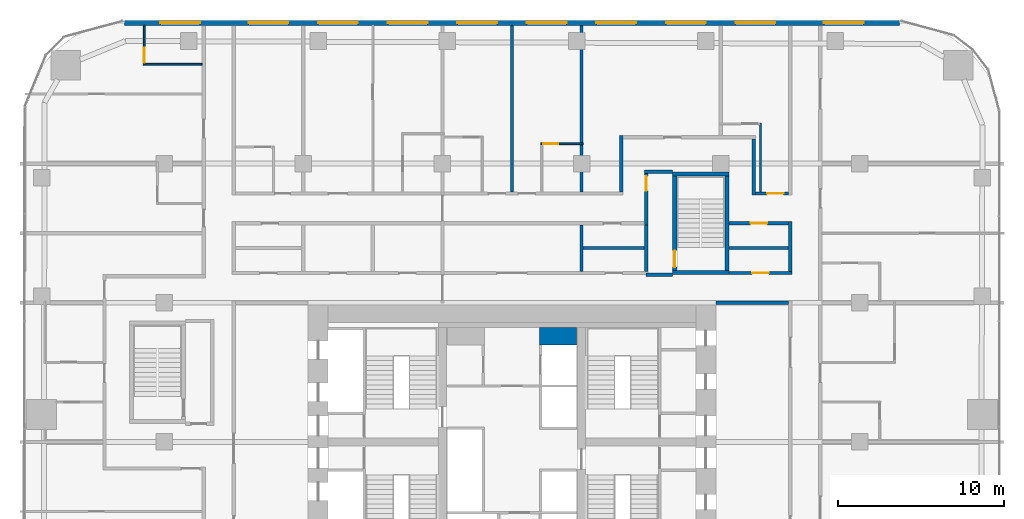
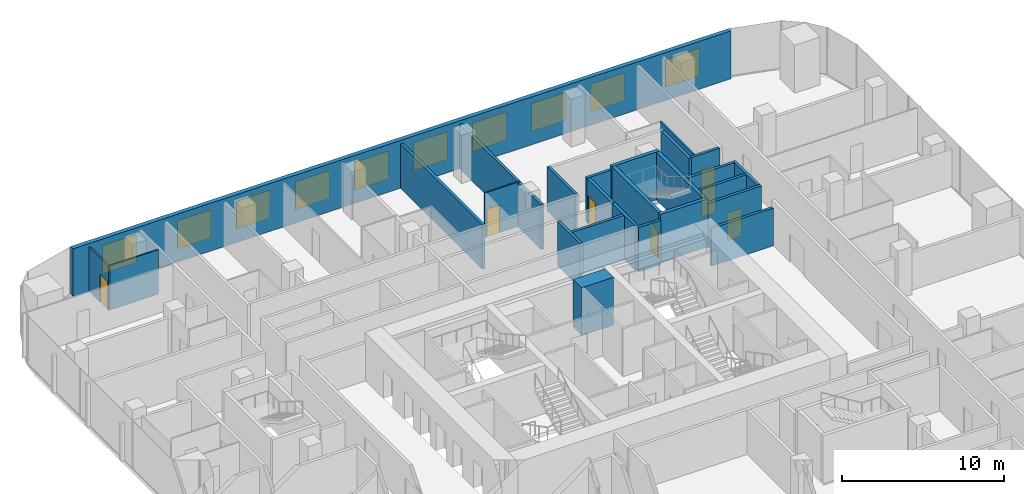
# One storey, part 22 of 26: 26 walls, 10 windows, 7 doors, 17 openings.
"""IFC4 building model written with IfcOpenShell, lengths in metres."""

import ifcopenshell
import ifcopenshell.guid

model = None  # the IFC model being written
_history = None  # IfcOwnerHistory: only IFC2X3 demands one
_inside = {}  # id of a spatial element -> (the spatial element, [elements in it])
_under = {}  # id of a project, library or spatial element -> (it, [spatial elements below it])
_declared = {}  # id of a project -> (the project, [libraries it declares])
_typed = {}  # id of a type object -> (the type object, [elements of that type])
_made_of = {}  # id of a material, layer set ... -> (it, [elements and type objects made of it])


def new_model(schema):
    """Start an empty IFC model of exactly this schema.

    Asked for "IFC4X3", IfcOpenShell would pick the latest addendum, in which some entities
    have other attributes; the version numbers below select the first issue.
    IFC2X3 requires an IfcOwnerHistory on every rooted entity: one is made here for all.
    """
    global model, _history
    if schema == "IFC4X3":
        model = ifcopenshell.file(schema_version=(4, 3, 0, 0))
    else:
        model = ifcopenshell.file(schema=schema)
    _inside.clear()
    _under.clear()
    _declared.clear()
    _typed.clear()
    _made_of.clear()
    _history = None
    if model.schema == "IFC2X3":
        org = make("IfcOrganization", Name="unknown")
        user = make(
            "IfcPersonAndOrganization",
            ThePerson=make("IfcPerson", FamilyName="unknown"),
            TheOrganization=org,
        )
        app = make(
            "IfcApplication",
            ApplicationDeveloper=org,
            Version="unknown",
            ApplicationFullName="unknown",
            ApplicationIdentifier="unknown",
        )
        _history = make(
            "IfcOwnerHistory",
            OwningUser=user,
            OwningApplication=app,
            ChangeAction="ADDED",
            CreationDate=0,
        )
    return model


def make(cls, **values):
    """One entity of the class cls with the attributes given. An attribute that is None is left unset."""
    return model.create_entity(
        cls, **{name: value for name, value in values.items() if value is not None}
    )


def rooted(cls, **values):
    """An entity with a GlobalId (a new one), such as an element, a storey or a relation."""
    return make(cls, GlobalId=ifcopenshell.guid.new(), OwnerHistory=_history, **values)


def si_unit(unit_type, name, prefix=None):
    """IfcSIUnit, for example si_unit("LENGTHUNIT", "METRE", prefix="MILLI")."""
    return make("IfcSIUnit", UnitType=unit_type, Prefix=prefix, Name=name)


def assignment(units):
    """IfcUnitAssignment: the units of a project."""
    return None if units is None else make("IfcUnitAssignment", Units=units)


def point(xyz):
    """IfcCartesianPoint."""
    return None if xyz is None else make("IfcCartesianPoint", Coordinates=xyz)


def direction(xyz):
    """IfcDirection."""
    return None if xyz is None else make("IfcDirection", DirectionRatios=xyz)


def frame(location, z_axis=None, x_axis=None):
    """IfcAxis2Placement3D, a coordinate frame: its origin and axes. An axis left out is left unset."""
    return make(
        "IfcAxis2Placement3D",
        Location=point(location),
        Axis=direction(z_axis),
        RefDirection=direction(x_axis),
    )


def frame_2d(location, x_axis=None):
    """IfcAxis2Placement2D, a coordinate frame in the plane: its origin and x axis."""
    return make(
        "IfcAxis2Placement2D", Location=point(location), RefDirection=direction(x_axis)
    )


def origin():
    """The frame at (0, 0, 0) with its axes left unset."""
    return frame((0.0, 0.0, 0.0))


def place(relative_to, where):
    """IfcLocalPlacement: puts the frame where relative to a parent placement (None: the world)."""
    return make(
        "IfcLocalPlacement", PlacementRelTo=relative_to, RelativePlacement=where
    )


def context(
    kind, dimensions, precision=None, world=None, true_north=None, identifier=None
):
    """IfcGeometricRepresentationContext, for example the 3D "Model" context."""
    return make(
        "IfcGeometricRepresentationContext",
        ContextIdentifier=identifier,
        ContextType=kind,
        CoordinateSpaceDimension=dimensions,
        Precision=precision,
        WorldCoordinateSystem=world,
        TrueNorth=true_north,
    )


def subcontext(parent, identifier, kind, view, scale=None):
    """IfcGeometricRepresentationSubContext, for example "Body" below "Model"."""
    return make(
        "IfcGeometricRepresentationSubContext",
        ContextIdentifier=identifier,
        ContextType=kind,
        ParentContext=parent,
        TargetScale=scale,
        TargetView=view,
    )


def project(units=None, contexts=None):
    """IfcProject with its units and contexts."""
    return rooted(
        "IfcProject",
        Name="project",
        RepresentationContexts=contexts,
        UnitsInContext=assignment(units),
    )


def spatial(cls, under=None, at=None, **own):
    """A site, building, storey or space (cls), placed at a placement, below another one or the project."""
    s = rooted(cls, ObjectPlacement=at, **own)
    if under is not None:
        _under.setdefault(under.id(), (under, []))[1].append(s)
    return s


def profile(cls, at=None, kind="AREA", **sizes):
    """A parametric profile (cls). Its sizes go by their IFC names, for example OverallWidth=200.0."""
    return make(cls, ProfileType=kind, Position=at, **sizes)


def rectangle(**sizes):
    """IfcRectangleProfileDef."""
    return profile("IfcRectangleProfileDef", **sizes)


def extrude(swept, where, along, depth):
    """IfcExtrudedAreaSolid: the profile swept, set in the frame where, extruded along a direction by depth."""
    return make(
        "IfcExtrudedAreaSolid",
        SweptArea=swept,
        Position=where,
        ExtrudedDirection=direction(along),
        Depth=depth,
    )


def shape(context_of_items, identifier, shape_type, items):
    """IfcShapeRepresentation: the items that make up one representation, for example the "Body"."""
    return make(
        "IfcShapeRepresentation",
        ContextOfItems=context_of_items,
        RepresentationIdentifier=identifier,
        RepresentationType=shape_type,
        Items=items,
    )


def material(Name=None, Category=None):
    """IfcMaterial."""
    return make("IfcMaterial", Name=Name, Category=Category)


def layer(
    of_material, thickness, ventilated=None, Name=None, Category=None, Priority=None
):
    """IfcMaterialLayer: one layer of a wall or slab, of a material (None: an air gap)."""
    return make(
        "IfcMaterialLayer",
        Material=of_material,
        LayerThickness=thickness,
        IsVentilated=ventilated,
        Name=Name,
        Category=Category,
        Priority=Priority,
    )


def layer_set(layers, Name=None):
    """IfcMaterialLayerSet."""
    return make("IfcMaterialLayerSet", MaterialLayers=layers, LayerSetName=Name)


def made_of(thing, what):
    """Note that an element or type object is made of a material, layer set ...; save() writes the relation."""
    if what is not None:
        _made_of.setdefault(what.id(), (what, []))[1].append(thing)
    return thing


def type_object(cls, material=None, **own):
    """A type object (cls), such as IfcWallType, which elements share."""
    return made_of(rooted(cls, **own), material)


def element(
    cls,
    number,
    at=None,
    inside=None,
    cuts=None,
    type_object=None,
    material=None,
    context=None,
    identifier="Body",
    shape_type=None,
    held_by="IfcProductDefinitionShape",
    body=None,
    shapes=None,
    **own,
):
    """One element of the class cls, such as IfcWall. Its Tag is "e" and its number.

    at: its placement. inside: the storey or other place that contains it. cuts: it is an
    opening in that element (IfcRelVoidsElement). A single representation is given by context,
    identifier, shape_type and body (its items); several are given by shapes. held_by: the class
    of the entity that holds the representations. save() writes the other relations.
    """
    e = rooted(cls, Tag="e%d" % number, ObjectPlacement=at, **own)
    if body is not None:
        shapes = [shape(context, identifier, shape_type, body)]
    if shapes is not None:
        e.Representation = make(held_by, Representations=shapes)
    if inside is not None:
        _inside.setdefault(inside.id(), (inside, []))[1].append(e)
    if cuts is not None:
        rooted(
            "IfcRelVoidsElement", RelatingBuildingElement=cuts, RelatedOpeningElement=e
        )
    if type_object is not None:
        _typed.setdefault(type_object.id(), (type_object, []))[1].append(e)
    return made_of(e, material)


def fill(opening, filler):
    """IfcRelFillsElement: the door or window that sits in an opening."""
    return rooted(
        "IfcRelFillsElement",
        RelatingOpeningElement=opening,
        RelatedBuildingElement=filler,
    )


def aggregate(whole, parts):
    """IfcRelAggregates: a whole, such as a stair, and the parts it consists of."""
    return rooted("IfcRelAggregates", RelatingObject=whole, RelatedObjects=parts)


def save(model, path):
    """Write the relations noted so far, then the file.

    IfcRelAggregates (storeys below a building ...), IfcRelContainedInSpatialStructure (elements
    in a storey), IfcRelDefinesByType, IfcRelAssociatesMaterial and IfcRelDeclares: one each for
    every whole, place, type object, material and project.
    """
    for whole, parts in _under.values():
        aggregate(whole, parts)
    for where, things in _inside.values():
        rooted(
            "IfcRelContainedInSpatialStructure",
            RelatedElements=things,
            RelatingStructure=where,
        )
    for kind, things in _typed.values():
        rooted("IfcRelDefinesByType", RelatedObjects=things, RelatingType=kind)
    for what, things in _made_of.values():
        rooted("IfcRelAssociatesMaterial", RelatedObjects=things, RelatingMaterial=what)
    for by, libraries in _declared.values():
        rooted("IfcRelDeclares", RelatingContext=by, RelatedDefinitions=libraries)
    model.write(path)


model = new_model("IFC4")

# Units and contexts
model_context = context("Model", 3, precision=1e-05, world=origin(), true_north=direction((0.0, 1.0)))
body_context = subcontext(model_context, "Body", "Model", "MODEL_VIEW")
ifc_project = project(units=[si_unit("LENGTHUNIT", "METRE"), si_unit("AREAUNIT", "SQUARE_METRE"), si_unit("VOLUMEUNIT", "CUBIC_METRE"), si_unit("PLANEANGLEUNIT", "RADIAN"), si_unit("MASSUNIT", "GRAM", prefix="KILO")], contexts=[model_context])

# Site, building, storey
site_placement = place(None, origin())
site = spatial("IfcSite", under=ifc_project, at=site_placement, CompositionType="ELEMENT")
building_placement = place(site_placement, origin())
building = spatial("IfcBuilding", under=site, at=building_placement, Name="Marenta Gate Hotel Tower", CompositionType="ELEMENT")
storey_placement = place(building_placement, frame((0.0, 0.0, 72.5)))
storey = spatial("IfcBuildingStorey", under=building, at=storey_placement, Name="L16", CompositionType="ELEMENT", Elevation=72.5)

# Wall, openings, windows
ifc_material_1 = material(Name="Concrete C40 board-marked", Category="concrete")
ifc_layer_1 = layer(ifc_material_1, 0.300048828125)
ifc_layer_set_1 = layer_set([ifc_layer_1], Name="Concrete C40 board-marked")
wall_type_1 = type_object("IfcWallType", Name="Board-marked concrete wall 300 mm", PredefinedType="NOTDEFINED", material=ifc_layer_set_1)
wall_1_placement = place(storey_placement, frame((23.406005859375, 33.68994140625, 0.0), z_axis=(0.0, 0.0, 1.0), x_axis=(-1.0, 0.0, 0.0)))
wall_1 = element("IfcWall", 1, at=wall_1_placement, inside=storey, type_object=wall_type_1, Name="L16-CLD-N00", PredefinedType="NOTDEFINED", context=body_context, shape_type="SweptSolid", body=[
    extrude(rectangle(XDim=46.81201171875, YDim=0.300048828125, at=frame_2d((23.406005859375, 0.0))), origin(), (0.0, 0.0, 1.0), 3.60009765625),
])
opening_1_placement = place(wall_1_placement, frame((2.185791015625, 0.0, 0.89990234375)))
opening_1 = element("IfcOpeningElement", 2, at=opening_1_placement, cuts=wall_1, Name="Opening W1", PredefinedType="OPENING", context=body_context, shape_type="SweptSolid", body=[
    extrude(rectangle(XDim=2.39990234375, YDim=2.10009765625, at=frame_2d((1.199951171875, 1.050048828125))), frame((0.0, 0.14990234375, 0.0), z_axis=(0.0, -1.0, 0.0), x_axis=(1.0, 0.0, 0.0)), (0.0, 0.0, 1.0), 0.300048828125),
])
opening_2_placement = place(wall_1_placement, frame((7.505859375, 0.0, 0.89990234375)))
opening_2 = element("IfcOpeningElement", 3, at=opening_2_placement, cuts=wall_1, Name="Opening W1", PredefinedType="OPENING", context=body_context, shape_type="SweptSolid", body=[
    extrude(rectangle(XDim=2.39990234375, YDim=2.10009765625, at=frame_2d((1.199951171875, 1.050048828125))), frame((0.0, 0.14990234375, 0.0), z_axis=(0.0, -1.0, 0.0), x_axis=(1.0, 0.0, 0.0)), (0.0, 0.0, 1.0), 0.300048828125),
])
opening_3_placement = place(wall_1_placement, frame((11.705810546875, 0.0, 0.89990234375)))
opening_3 = element("IfcOpeningElement", 4, at=opening_3_placement, cuts=wall_1, Name="Opening W1", PredefinedType="OPENING", context=body_context, shape_type="SweptSolid", body=[
    extrude(rectangle(XDim=2.39990234375, YDim=2.10009765625, at=frame_2d((1.199951171875, 1.050048828125))), frame((0.0, 0.14990234375, 0.0), z_axis=(0.0, -1.0, 0.0), x_axis=(1.0, 0.0, 0.0)), (0.0, 0.0, 1.0), 0.300048828125),
])
opening_4_placement = place(wall_1_placement, frame((15.906005859375, 0.0, 0.89990234375)))
opening_4 = element("IfcOpeningElement", 5, at=opening_4_placement, cuts=wall_1, Name="Opening W1", PredefinedType="OPENING", context=body_context, shape_type="SweptSolid", body=[
    extrude(rectangle(XDim=2.39990234375, YDim=2.10009765625, at=frame_2d((1.199951171875, 1.050048828125))), frame((0.0, 0.14990234375, 0.0), z_axis=(0.0, -1.0, 0.0), x_axis=(1.0, 0.0, 0.0)), (0.0, 0.0, 1.0), 0.300048828125),
])
opening_5_placement = place(wall_1_placement, frame((20.10595703125, 0.0, 0.89990234375)))
opening_5 = element("IfcOpeningElement", 6, at=opening_5_placement, cuts=wall_1, Name="Opening W1", PredefinedType="OPENING", context=body_context, shape_type="SweptSolid", body=[
    extrude(rectangle(XDim=2.39990234375, YDim=2.10009765625, at=frame_2d((1.199951171875, 1.050048828125))), frame((0.0, 0.14990234375, 0.0), z_axis=(0.0, -1.0, 0.0), x_axis=(1.0, 0.0, 0.0)), (0.0, 0.0, 1.0), 0.300048828125),
])
opening_6_placement = place(wall_1_placement, frame((24.305908203125, 0.0, 0.89990234375)))
opening_6 = element("IfcOpeningElement", 7, at=opening_6_placement, cuts=wall_1, Name="Opening W1", PredefinedType="OPENING", context=body_context, shape_type="SweptSolid", body=[
    extrude(rectangle(XDim=2.39990234375, YDim=2.10009765625, at=frame_2d((1.199951171875, 1.050048828125))), frame((0.0, 0.14990234375, 0.0), z_axis=(0.0, -1.0, 0.0), x_axis=(1.0, 0.0, 0.0)), (0.0, 0.0, 1.0), 0.300048828125),
])
opening_7_placement = place(wall_1_placement, frame((28.505859375, 0.0, 0.89990234375)))
opening_7 = element("IfcOpeningElement", 8, at=opening_7_placement, cuts=wall_1, Name="Opening W1", PredefinedType="OPENING", context=body_context, shape_type="SweptSolid", body=[
    extrude(rectangle(XDim=2.39990234375, YDim=2.10009765625, at=frame_2d((1.199951171875, 1.050048828125))), frame((0.0, 0.14990234375, 0.0), z_axis=(0.0, -1.0, 0.0), x_axis=(1.0, 0.0, 0.0)), (0.0, 0.0, 1.0), 0.300048828125),
])
opening_8_placement = place(wall_1_placement, frame((32.705810546875, 0.0, 0.89990234375)))
opening_8 = element("IfcOpeningElement", 9, at=opening_8_placement, cuts=wall_1, Name="Opening W1", PredefinedType="OPENING", context=body_context, shape_type="SweptSolid", body=[
    extrude(rectangle(XDim=2.39990234375, YDim=2.10009765625, at=frame_2d((1.199951171875, 1.050048828125))), frame((0.0, 0.14990234375, 0.0), z_axis=(0.0, -1.0, 0.0), x_axis=(1.0, 0.0, 0.0)), (0.0, 0.0, 1.0), 0.300048828125),
])
opening_9_placement = place(wall_1_placement, frame((36.906005859375, 0.0, 0.89990234375)))
opening_9 = element("IfcOpeningElement", 10, at=opening_9_placement, cuts=wall_1, Name="Opening W1", PredefinedType="OPENING", context=body_context, shape_type="SweptSolid", body=[
    extrude(rectangle(XDim=2.39990234375, YDim=2.10009765625, at=frame_2d((1.199951171875, 1.050048828125))), frame((0.0, 0.14990234375, 0.0), z_axis=(0.0, -1.0, 0.0), x_axis=(1.0, 0.0, 0.0)), (0.0, 0.0, 1.0), 0.300048828125),
])
opening_10_placement = place(wall_1_placement, frame((42.225830078125, 0.0, 0.89990234375)))
opening_10 = element("IfcOpeningElement", 11, at=opening_10_placement, cuts=wall_1, Name="Opening W1", PredefinedType="OPENING", context=body_context, shape_type="SweptSolid", body=[
    extrude(rectangle(XDim=2.39990234375, YDim=2.10009765625, at=frame_2d((1.199951171875, 1.050048828125))), frame((0.0, 0.14990234375, 0.0), z_axis=(0.0, -1.0, 0.0), x_axis=(1.0, 0.0, 0.0)), (0.0, 0.0, 1.0), 0.300048828125),
])
ifc_material_2 = material(Name="Tinted insulated glass in bronze anodised frame", Category="glass")
window_type = type_object("IfcWindowType", Name="Window W1 2400x2100 bronze frame", PartitioningType="SINGLE_PANEL", PredefinedType="WINDOW", material=ifc_material_2)
window_1_placement = place(opening_1_placement, origin())
window_1 = element("IfcWindow", 12, at=window_1_placement, inside=storey, type_object=window_type, Name="Window W1", OverallHeight=2.10009765625, OverallWidth=2.39990234375, PartitioningType="SINGLE_PANEL", PredefinedType="WINDOW", context=body_context, shape_type="SweptSolid", body=[
    extrude(rectangle(XDim=2.39990234375, YDim=2.10009765625, at=frame_2d((1.199951171875, 1.050048828125))), frame((0.0, 0.030029296875, 0.0), z_axis=(0.0, -1.0, 0.0), x_axis=(1.0, 0.0, 0.0)), (0.0, 0.0, 1.0), 0.06005859375),
])
fill(opening_1, window_1)
window_2_placement = place(opening_2_placement, origin())
window_2 = element("IfcWindow", 13, at=window_2_placement, inside=storey, type_object=window_type, Name="Window W1", OverallHeight=2.10009765625, OverallWidth=2.39990234375, PartitioningType="SINGLE_PANEL", PredefinedType="WINDOW", context=body_context, shape_type="SweptSolid", body=[
    extrude(rectangle(XDim=2.39990234375, YDim=2.10009765625, at=frame_2d((1.199951171875, 1.050048828125))), frame((0.0, 0.030029296875, 0.0), z_axis=(0.0, -1.0, 0.0), x_axis=(1.0, 0.0, 0.0)), (0.0, 0.0, 1.0), 0.06005859375),
])
fill(opening_2, window_2)
window_3_placement = place(opening_3_placement, origin())
window_3 = element("IfcWindow", 14, at=window_3_placement, inside=storey, type_object=window_type, Name="Window W1", OverallHeight=2.10009765625, OverallWidth=2.39990234375, PartitioningType="SINGLE_PANEL", PredefinedType="WINDOW", context=body_context, shape_type="SweptSolid", body=[
    extrude(rectangle(XDim=2.39990234375, YDim=2.10009765625, at=frame_2d((1.199951171875, 1.050048828125))), frame((0.0, 0.030029296875, 0.0), z_axis=(0.0, -1.0, 0.0), x_axis=(1.0, 0.0, 0.0)), (0.0, 0.0, 1.0), 0.06005859375),
])
fill(opening_3, window_3)
window_4_placement = place(opening_4_placement, origin())
window_4 = element("IfcWindow", 15, at=window_4_placement, inside=storey, type_object=window_type, Name="Window W1", OverallHeight=2.10009765625, OverallWidth=2.39990234375, PartitioningType="SINGLE_PANEL", PredefinedType="WINDOW", context=body_context, shape_type="SweptSolid", body=[
    extrude(rectangle(XDim=2.39990234375, YDim=2.10009765625, at=frame_2d((1.199951171875, 1.050048828125))), frame((0.0, 0.030029296875, 0.0), z_axis=(0.0, -1.0, 0.0), x_axis=(1.0, 0.0, 0.0)), (0.0, 0.0, 1.0), 0.06005859375),
])
fill(opening_4, window_4)
window_5_placement = place(opening_5_placement, origin())
window_5 = element("IfcWindow", 16, at=window_5_placement, inside=storey, type_object=window_type, Name="Window W1", OverallHeight=2.10009765625, OverallWidth=2.39990234375, PartitioningType="SINGLE_PANEL", PredefinedType="WINDOW", context=body_context, shape_type="SweptSolid", body=[
    extrude(rectangle(XDim=2.39990234375, YDim=2.10009765625, at=frame_2d((1.199951171875, 1.050048828125))), frame((0.0, 0.030029296875, 0.0), z_axis=(0.0, -1.0, 0.0), x_axis=(1.0, 0.0, 0.0)), (0.0, 0.0, 1.0), 0.06005859375),
])
fill(opening_5, window_5)
window_6_placement = place(opening_6_placement, origin())
window_6 = element("IfcWindow", 17, at=window_6_placement, inside=storey, type_object=window_type, Name="Window W1", OverallHeight=2.10009765625, OverallWidth=2.39990234375, PartitioningType="SINGLE_PANEL", PredefinedType="WINDOW", context=body_context, shape_type="SweptSolid", body=[
    extrude(rectangle(XDim=2.39990234375, YDim=2.10009765625, at=frame_2d((1.199951171875, 1.050048828125))), frame((0.0, 0.030029296875, 0.0), z_axis=(0.0, -1.0, 0.0), x_axis=(1.0, 0.0, 0.0)), (0.0, 0.0, 1.0), 0.06005859375),
])
fill(opening_6, window_6)
window_7_placement = place(opening_7_placement, origin())
window_7 = element("IfcWindow", 18, at=window_7_placement, inside=storey, type_object=window_type, Name="Window W1", OverallHeight=2.10009765625, OverallWidth=2.39990234375, PartitioningType="SINGLE_PANEL", PredefinedType="WINDOW", context=body_context, shape_type="SweptSolid", body=[
    extrude(rectangle(XDim=2.39990234375, YDim=2.10009765625, at=frame_2d((1.199951171875, 1.050048828125))), frame((0.0, 0.030029296875, 0.0), z_axis=(0.0, -1.0, 0.0), x_axis=(1.0, 0.0, 0.0)), (0.0, 0.0, 1.0), 0.06005859375),
])
fill(opening_7, window_7)
window_8_placement = place(opening_8_placement, origin())
window_8 = element("IfcWindow", 19, at=window_8_placement, inside=storey, type_object=window_type, Name="Window W1", OverallHeight=2.10009765625, OverallWidth=2.39990234375, PartitioningType="SINGLE_PANEL", PredefinedType="WINDOW", context=body_context, shape_type="SweptSolid", body=[
    extrude(rectangle(XDim=2.39990234375, YDim=2.10009765625, at=frame_2d((1.199951171875, 1.050048828125))), frame((0.0, 0.030029296875, 0.0), z_axis=(0.0, -1.0, 0.0), x_axis=(1.0, 0.0, 0.0)), (0.0, 0.0, 1.0), 0.06005859375),
])
fill(opening_8, window_8)
window_9_placement = place(opening_9_placement, origin())
window_9 = element("IfcWindow", 20, at=window_9_placement, inside=storey, type_object=window_type, Name="Window W1", OverallHeight=2.10009765625, OverallWidth=2.39990234375, PartitioningType="SINGLE_PANEL", PredefinedType="WINDOW", context=body_context, shape_type="SweptSolid", body=[
    extrude(rectangle(XDim=2.39990234375, YDim=2.10009765625, at=frame_2d((1.199951171875, 1.050048828125))), frame((0.0, 0.030029296875, 0.0), z_axis=(0.0, -1.0, 0.0), x_axis=(1.0, 0.0, 0.0)), (0.0, 0.0, 1.0), 0.06005859375),
])
fill(opening_9, window_9)
window_10_placement = place(opening_10_placement, origin())
window_10 = element("IfcWindow", 21, at=window_10_placement, inside=storey, type_object=window_type, Name="Window W1", OverallHeight=2.10009765625, OverallWidth=2.39990234375, PartitioningType="SINGLE_PANEL", PredefinedType="WINDOW", context=body_context, shape_type="SweptSolid", body=[
    extrude(rectangle(XDim=2.39990234375, YDim=2.10009765625, at=frame_2d((1.199951171875, 1.050048828125))), frame((0.0, 0.030029296875, 0.0), z_axis=(0.0, -1.0, 0.0), x_axis=(1.0, 0.0, 0.0)), (0.0, 0.0, 1.0), 0.06005859375),
])
fill(opening_10, window_10)

# Walls
ifc_material_3 = material(Name="Concrete blockwork", Category="masonry")
ifc_layer_2 = layer(ifc_material_3, 0.199951171875)
ifc_layer_set_2 = layer_set([ifc_layer_2], Name="Concrete blockwork")
wall_type_2 = type_object("IfcWallType", Name="Core boundary wall 200 REI 180", PredefinedType="PARTITIONING", material=ifc_layer_set_2)
wall_2_placement = place(storey_placement, frame((12.300048828125, 16.800048828125, 0.0), z_axis=(0.0, 0.0, 1.0), x_axis=(1.0, 0.0, 0.0)))
element("IfcWall", 22, at=wall_2_placement, inside=storey, type_object=wall_type_2, Name="L16-CP-EW-EN", PredefinedType="PARTITIONING", context=body_context, shape_type="SweptSolid", body=[
    extrude(rectangle(XDim=4.39990234375, YDim=0.199951171875, at=frame_2d((2.199951171875, 0.0))), origin(), (0.0, 0.0, 1.0), 2.840087890625),
])
ifc_material_4 = material(Name="Concrete C40", Category="concrete")
ifc_layer_3 = layer(ifc_material_4, 1.050048828125)
ifc_layer_set_3 = layer_set([ifc_layer_3], Name="Concrete C40")
wall_type_3 = type_object("IfcWallType", Name="Core shaft wall 1050 REI 180", PredefinedType="SHEAR", material=ifc_layer_set_3)
wall_3_placement = place(storey_placement, frame((1.64990234375, 14.77490234375, 0.0), z_axis=(0.0, 0.0, 1.0), x_axis=(1.0, 0.0, 0.0)))
element("IfcWall", 23, at=wall_3_placement, inside=storey, type_object=wall_type_3, Name="L16-SHF-CE-N-top", PredefinedType="SHEAR", context=body_context, shape_type="SweptSolid", body=[
    extrude(rectangle(XDim=2.25, YDim=1.050048828125, at=frame_2d((1.125, 0.0))), origin(), (0.0, 0.0, 1.0), 3.60009765625),
])
ifc_material_5 = material(Name="Concrete C40", Category="concrete")
ifc_layer_4 = layer(ifc_material_5, 0.25)
ifc_layer_set_4 = layer_set([ifc_layer_4], Name="Concrete C40")
wall_type_4 = type_object("IfcWallType", Name="Remote stair enclosure wall 250 REI 180", PredefinedType="SHEAR", material=ifc_layer_set_4)
for number, where, z_axis, x_axis, name in (
    (24, (9.699951171875, 18.625, 0.10009765625), (0.0, 0.0, 1.0), (1.0, 0.0, 0.0), "L16-RS-Z1-4-W1"),
    (25, (9.699951171875, 24.574951171875, 0.10009765625), (0.0, 0.0, 1.0), (1.0, 0.0, 0.0), "L16-RS-Z1-4-W2"),
):
    element("IfcWall", number, at=place(storey_placement, frame(where, z_axis=z_axis, x_axis=x_axis)), inside=storey, type_object=wall_type_4, Name=name, PredefinedType="SHEAR", context=body_context, shape_type="SweptSolid", body=[
        extrude(rectangle(XDim=3.400146484375, YDim=0.25, at=frame_2d((1.7001953125, 0.0))), origin(), (0.0, 0.0, 1.0), 3.599853515625),
    ])

# Wall, opening, door
wall_4_placement = place(storey_placement, frame((9.824951171875, 18.75, 0.10009765625), z_axis=(0.0, 0.0, 1.0), x_axis=(0.0, 1.0, 0.0)))
wall_4 = element("IfcWall", 26, at=wall_4_placement, inside=storey, type_object=wall_type_4, Name="L16-RS-Z1-4-W3", PredefinedType="SHEAR", context=body_context, shape_type="SweptSolid", body=[
    extrude(rectangle(XDim=5.699951171875, YDim=0.25, at=frame_2d((2.85009765625, 0.0))), origin(), (0.0, 0.0, 1.0), 3.599853515625),
])
opening_11_placement = place(wall_4_placement, frame((0.199951171875, 0.0, 0.0)))
opening_11 = element("IfcOpeningElement", 27, at=opening_11_placement, cuts=wall_4, Name="Opening VD", PredefinedType="OPENING", context=body_context, shape_type="SweptSolid", body=[
    extrude(rectangle(XDim=1.0, YDim=2.10009765625, at=frame_2d((0.5, 1.050048828125))), frame((0.0, 0.125, 0.0), z_axis=(0.0, -1.0, 0.0), x_axis=(1.0, 0.0, 0.0)), (0.0, 0.0, 1.0), 0.25),
])
ifc_material_6 = material(Name="Steel", Category="steel")
door_type_1 = type_object("IfcDoorType", Name="Stair vestibule door 1000x2100 FD60", OperationType="SINGLE_SWING_LEFT", PredefinedType="DOOR", material=ifc_material_6)
door_1_placement = place(opening_11_placement, origin())
door_1 = element("IfcDoor", 28, at=door_1_placement, inside=storey, type_object=door_type_1, Name="VD", OperationType="SINGLE_SWING_LEFT", OverallHeight=2.10009765625, OverallWidth=1.0, PredefinedType="DOOR", context=body_context, shape_type="SweptSolid", body=[
    extrude(rectangle(XDim=1.0, YDim=2.10009765625, at=frame_2d((0.5, 1.050048828125))), frame((0.0, 0.02490234375, 0.0), z_axis=(0.0, -1.0, 0.0), x_axis=(1.0, 0.0, 0.0)), (0.0, 0.0, 1.0), 0.050048828125),
])
fill(opening_11, door_1)

# Walls
wall_5_placement = place(storey_placement, frame((12.97509765625, 18.75, 0.10009765625), z_axis=(0.0, 0.0, 1.0), x_axis=(0.0, 1.0, 0.0)))
element("IfcWall", 29, at=wall_5_placement, inside=storey, type_object=wall_type_4, Name="L16-RS-Z1-4-W4", PredefinedType="SHEAR", context=body_context, shape_type="SweptSolid", body=[
    extrude(rectangle(XDim=5.699951171875, YDim=0.25, at=frame_2d((2.85009765625, 0.0))), origin(), (0.0, 0.0, 1.0), 3.599853515625),
])
ifc_material_7 = material(Name="Concrete blockwork", Category="masonry")
ifc_layer_5 = layer(ifc_material_7, 0.199951171875)
ifc_layer_set_5 = layer_set([ifc_layer_5], Name="Concrete blockwork")
wall_type_5 = type_object("IfcWallType", Name="Room corridor wall 200 EI 120", PredefinedType="PARTITIONING", material=ifc_layer_set_5)
wall_6_placement = place(storey_placement, frame((6.60009765625, 23.5, 0.0), z_axis=(0.0, 0.0, 1.0), x_axis=(0.0, 1.0, 0.0)))
element("IfcWall", 30, at=wall_6_placement, inside=storey, type_object=wall_type_5, Name="L16-PTN-W047", PredefinedType="PARTITIONING", context=body_context, shape_type="SweptSolid", body=[
    extrude(rectangle(XDim=3.39990234375, YDim=0.199951171875, at=frame_2d((1.699951171875, 0.0))), origin(), (0.0, 0.0, 1.0), 3.340087890625),
])
ifc_material_8 = material(Name="Gypsum board on steel stud", Category="steel")
ifc_layer_6 = layer(ifc_material_8, 0.199951171875)
ifc_layer_set_6 = layer_set([ifc_layer_6], Name="Gypsum board on steel stud")
wall_type_6 = type_object("IfcWallType", Name="Room corridor wall 200 EI 60", PredefinedType="PARTITIONING", material=ifc_layer_set_6)
wall_7_placement = place(storey_placement, frame((16.800048828125, 18.699951171875, 0.0), z_axis=(0.0, 0.0, 1.0), x_axis=(0.0, 1.0, 0.0)))
element("IfcWall", 31, at=wall_7_placement, inside=storey, type_object=wall_type_6, Name="L16-PTN-W012", PredefinedType="PARTITIONING", context=body_context, shape_type="SweptSolid", body=[
    extrude(rectangle(XDim=3.0, YDim=0.199951171875, at=frame_2d((1.5, 0.0))), origin(), (0.0, 0.0, 1.0), 3.340087890625),
])
wall_8_placement = place(storey_placement, frame((14.60009765625, 23.300048828125, 0.0), z_axis=(0.0, 0.0, 1.0), x_axis=(0.0, 1.0, 0.0)))
element("IfcWall", 32, at=wall_8_placement, inside=storey, type_object=wall_type_6, Name="L16-PTN-W026", PredefinedType="PARTITIONING", context=body_context, shape_type="SweptSolid", body=[
    extrude(rectangle(XDim=3.39990234375, YDim=0.199951171875, at=frame_2d((1.699951171875, 0.0))), origin(), (0.0, 0.0, 1.0), 3.340087890625),
])

# Wall, opening, door
wall_9_placement = place(storey_placement, frame((13.10009765625, 18.60009765625, 0.0), z_axis=(0.0, 0.0, 1.0), x_axis=(1.0, 0.0, 0.0)))
wall_9 = element("IfcWall", 33, at=wall_9_placement, inside=storey, type_object=wall_type_6, Name="L16-PTN-W115", PredefinedType="PARTITIONING", context=body_context, shape_type="SweptSolid", body=[
    extrude(rectangle(XDim=3.7998046875, YDim=0.199951171875, at=frame_2d((1.89990234375, 0.0))), origin(), (0.0, 0.0, 1.0), 3.340087890625),
])
opening_12_placement = place(wall_9_placement, frame((1.39990234375, 0.0, 0.0)))
opening_12 = element("IfcOpeningElement", 34, at=opening_12_placement, cuts=wall_9, Name="Opening G06-74", PredefinedType="OPENING", context=body_context, shape_type="SweptSolid", body=[
    extrude(rectangle(XDim=1.0, YDim=2.10009765625, at=frame_2d((0.5, 1.050048828125))), frame((0.0, 0.10009765625, 0.0), z_axis=(0.0, -1.0, 0.0), x_axis=(1.0, 0.0, 0.0)), (0.0, 0.0, 1.0), 0.199951171875),
])
ifc_material_9 = material(Name="Timber door leaf", Category="wood")
door_type_2 = type_object("IfcDoorType", Name="Room amenity door 1000x2100 EI 30", OperationType="NOTDEFINED", PredefinedType="DOOR", material=ifc_material_9)
door_2_placement = place(opening_12_placement, origin())
door_2 = element("IfcDoor", 35, at=door_2_placement, inside=storey, type_object=door_type_2, Name="L16-PD-D074", OperationType="SINGLE_SWING_LEFT", OverallHeight=2.10009765625, OverallWidth=1.0, PredefinedType="DOOR", context=body_context, shape_type="SweptSolid", body=[
    extrude(rectangle(XDim=1.0, YDim=2.10009765625, at=frame_2d((0.5, 1.050048828125))), frame((0.0, 0.02490234375, 0.0), z_axis=(0.0, -1.0, 0.0), x_axis=(1.0, 0.0, 0.0)), (0.0, 0.0, 1.0), 0.050048828125),
])
fill(opening_12, door_2)

wall_10_placement = place(storey_placement, frame((13.10009765625, 21.60009765625, 0.0), z_axis=(0.0, 0.0, 1.0), x_axis=(1.0, 0.0, 0.0)))
wall_10 = element("IfcWall", 36, at=wall_10_placement, inside=storey, type_object=wall_type_6, Name="L16-PTN-W126", PredefinedType="PARTITIONING", context=body_context, shape_type="SweptSolid", body=[
    extrude(rectangle(XDim=3.599853515625, YDim=0.199951171875, at=frame_2d((1.7998046875, 0.0))), origin(), (0.0, 0.0, 1.0), 3.340087890625),
])
opening_13_placement = place(wall_10_placement, frame((1.300048828125, 0.0, 0.0)))
opening_13 = element("IfcOpeningElement", 37, at=opening_13_placement, cuts=wall_10, Name="Opening G06-75", PredefinedType="OPENING", context=body_context, shape_type="SweptSolid", body=[
    extrude(rectangle(XDim=1.0, YDim=2.10009765625, at=frame_2d((0.5, 1.050048828125))), frame((0.0, 0.10009765625, 0.0), z_axis=(0.0, -1.0, 0.0), x_axis=(1.0, 0.0, 0.0)), (0.0, 0.0, 1.0), 0.199951171875),
])
door_3_placement = place(opening_13_placement, origin())
door_3 = element("IfcDoor", 38, at=door_3_placement, inside=storey, type_object=door_type_2, Name="L16-PD-D075", OperationType="SINGLE_SWING_RIGHT", OverallHeight=2.10009765625, OverallWidth=1.0, PredefinedType="DOOR", context=body_context, shape_type="SweptSolid", body=[
    extrude(rectangle(XDim=1.0, YDim=2.10009765625, at=frame_2d((0.5, 1.050048828125))), frame((0.0, 0.02490234375, 0.0), z_axis=(0.0, -1.0, 0.0), x_axis=(1.0, 0.0, 0.0)), (0.0, 0.0, 1.0), 0.050048828125),
])
fill(opening_13, door_3)

wall_11_placement = place(storey_placement, frame((14.699951171875, 23.39990234375, 0.0), z_axis=(0.0, 0.0, 1.0), x_axis=(1.0, 0.0, 0.0)))
wall_11 = element("IfcWall", 39, at=wall_11_placement, inside=storey, type_object=wall_type_6, Name="L16-PTN-W133", PredefinedType="PARTITIONING", context=body_context, shape_type="SweptSolid", body=[
    extrude(rectangle(XDim=2.0, YDim=0.199951171875, at=frame_2d((1.0, 0.0))), origin(), (0.0, 0.0, 1.0), 3.340087890625),
])
opening_14_placement = place(wall_11_placement, frame((0.699951171875, 0.0, 0.0)))
opening_14 = element("IfcOpeningElement", 40, at=opening_14_placement, cuts=wall_11, Name="Opening G06-30", PredefinedType="OPENING", context=body_context, shape_type="SweptSolid", body=[
    extrude(rectangle(XDim=1.0, YDim=2.10009765625, at=frame_2d((0.5, 1.050048828125))), frame((0.0, 0.10009765625, 0.0), z_axis=(0.0, -1.0, 0.0), x_axis=(1.0, 0.0, 0.0)), (0.0, 0.0, 1.0), 0.199951171875),
])
ifc_material_10 = material(Name="Timber door leaf", Category="wood")
door_type_3 = type_object("IfcDoorType", Name="Guest room door 1000x2100 EI 30", OperationType="NOTDEFINED", PredefinedType="DOOR", material=ifc_material_10)
door_4_placement = place(opening_14_placement, origin())
door_4 = element("IfcDoor", 41, at=door_4_placement, inside=storey, type_object=door_type_3, Name="L16-PD-D030", OperationType="SINGLE_SWING_RIGHT", OverallHeight=2.10009765625, OverallWidth=1.0, PredefinedType="DOOR", context=body_context, shape_type="SweptSolid", body=[
    extrude(rectangle(XDim=1.0, YDim=2.10009765625, at=frame_2d((0.5, 1.050048828125))), frame((0.0, 0.02490234375, 0.0), z_axis=(0.0, -1.0, 0.0), x_axis=(1.0, 0.0, 0.0)), (0.0, 0.0, 1.0), 0.050048828125),
])
fill(opening_14, door_4)

ifc_material_11 = material(Name="Concrete blockwork", Category="masonry")
ifc_layer_7 = layer(ifc_material_11, 0.199951171875)
ifc_layer_set_7 = layer_set([ifc_layer_7], Name="Concrete blockwork")
wall_type_7 = type_object("IfcWallType", Name="Room corridor wall 200 REI 180", PredefinedType="PARTITIONING", material=ifc_layer_set_7)
wall_12_placement = place(storey_placement, frame((8.10009765625, 21.5, 0.0), z_axis=(0.0, 0.0, 1.0), x_axis=(0.0, 1.0, 0.0)))
wall_12 = element("IfcWall", 42, at=wall_12_placement, inside=storey, type_object=wall_type_7, Name="L16-PTN-W045", PredefinedType="PARTITIONING", context=body_context, shape_type="SweptSolid", body=[
    extrude(rectangle(XDim=3.10009765625, YDim=0.199951171875, at=frame_2d((1.550048828125, 0.0))), origin(), (0.0, 0.0, 1.0), 3.340087890625),
])
opening_15_placement = place(wall_12_placement, frame((2.050048828125, 0.0, 0.0)))
opening_15 = element("IfcOpeningElement", 43, at=opening_15_placement, cuts=wall_12, Name="Opening G06-64", PredefinedType="OPENING", context=body_context, shape_type="SweptSolid", body=[
    extrude(rectangle(XDim=0.89990234375, YDim=2.10009765625, at=frame_2d((0.449951171875, 1.050048828125))), frame((0.0, 0.10009765625, 0.0), z_axis=(0.0, -1.0, 0.0), x_axis=(1.0, 0.0, 0.0)), (0.0, 0.0, 1.0), 0.199951171875),
])
ifc_material_12 = material(Name="Hollow steel door set", Category="steel")
door_type_4 = type_object("IfcDoorType", Name="Stair vestibule door 900x2100 EI 60", OperationType="NOTDEFINED", PredefinedType="DOOR", material=ifc_material_12)
door_5_placement = place(opening_15_placement, origin())
door_5 = element("IfcDoor", 44, at=door_5_placement, inside=storey, type_object=door_type_4, Name="L16-PD-D064", OperationType="SINGLE_SWING_LEFT", OverallHeight=2.10009765625, OverallWidth=0.89990234375, PredefinedType="DOOR", context=body_context, shape_type="SweptSolid", body=[
    extrude(rectangle(XDim=0.89990234375, YDim=2.10009765625, at=frame_2d((0.449951171875, 1.050048828125))), frame((0.0, 0.02490234375, 0.0), z_axis=(0.0, -1.0, 0.0), x_axis=(1.0, 0.0, 0.0)), (0.0, 0.0, 1.0), 0.050048828125),
])
fill(opening_15, door_5)

# Walls
wall_13_placement = place(storey_placement, frame((8.10009765625, 18.5, 0.0), z_axis=(0.0, 0.0, 1.0), x_axis=(1.0, 0.0, 0.0)))
element("IfcWall", 45, at=wall_13_placement, inside=storey, type_object=wall_type_7, Name="L16-PTN-W111", PredefinedType="PARTITIONING", context=body_context, shape_type="SweptSolid", body=[
    extrude(rectangle(XDim=1.599853515625, YDim=0.199951171875, at=frame_2d((0.7998046875, 0.0))), origin(), (0.0, 0.0, 1.0), 3.340087890625),
])
wall_14_placement = place(storey_placement, frame((8.0, 24.699951171875, 0.0), z_axis=(0.0, 0.0, 1.0), x_axis=(1.0, 0.0, 0.0)))
element("IfcWall", 46, at=wall_14_placement, inside=storey, type_object=wall_type_7, Name="L16-PTN-W135", PredefinedType="PARTITIONING", context=body_context, shape_type="SweptSolid", body=[
    extrude(rectangle(XDim=1.699951171875, YDim=0.199951171875, at=frame_2d((0.85009765625, 0.0))), origin(), (0.0, 0.0, 1.0), 3.340087890625),
])
ifc_material_13 = material(Name="Gypsum board on steel stud", Category="steel")
ifc_layer_8 = layer(ifc_material_13, 0.10009765625)
ifc_layer_set_8 = layer_set([ifc_layer_8], Name="Gypsum board on steel stud")
wall_type_8 = type_object("IfcWallType", Name="Room partition 100", PredefinedType="PARTITIONING", material=ifc_layer_set_8)
wall_15_placement = place(storey_placement, frame((15.0, 23.5, 0.0), z_axis=(0.0, 0.0, 1.0), x_axis=(0.0, 1.0, 0.0)))
element("IfcWall", 47, at=wall_15_placement, inside=storey, type_object=wall_type_8, Name="L16-PTN-W023", PredefinedType="PARTITIONING", context=body_context, shape_type="SweptSolid", body=[
    extrude(rectangle(XDim=4.14990234375, YDim=0.10009765625, at=frame_2d((2.074951171875, 0.0))), origin(), (0.0, 0.0, 1.0), 3.340087890625),
])

# Wall, opening, door
wall_16_placement = place(storey_placement, frame((-22.199951171875, 31.14990234375, 0.0), z_axis=(0.0, 0.0, 1.0), x_axis=(0.0, 1.0, 0.0)))
wall_16 = element("IfcWall", 48, at=wall_16_placement, inside=storey, type_object=wall_type_8, Name="L16-PTN-W128", PredefinedType="PARTITIONING", context=body_context, shape_type="SweptSolid", body=[
    extrude(rectangle(XDim=2.39013671875, YDim=0.10009765625, at=frame_2d((1.195068359375, 0.0))), origin(), (0.0, 0.0, 1.0), 3.340087890625),
])
opening_16_placement = place(wall_16_placement, frame((0.14990234375, 0.0, 0.0)))
opening_16 = element("IfcOpeningElement", 49, at=opening_16_placement, cuts=wall_16, Name="Opening G06-60", PredefinedType="OPENING", context=body_context, shape_type="SweptSolid", body=[
    extrude(rectangle(XDim=0.89990234375, YDim=2.10009765625, at=frame_2d((0.449951171875, 1.050048828125))), frame((0.0, 0.050048828125, 0.0), z_axis=(0.0, -1.0, 0.0), x_axis=(1.0, 0.0, 0.0)), (0.0, 0.0, 1.0), 0.10009765625),
])
ifc_material_14 = material(Name="Timber door leaf", Category="wood")
door_type_5 = type_object("IfcDoorType", Name="Guest bathroom door 900x2100", OperationType="NOTDEFINED", PredefinedType="DOOR", material=ifc_material_14)
door_6_placement = place(opening_16_placement, origin())
door_6 = element("IfcDoor", 50, at=door_6_placement, inside=storey, type_object=door_type_5, Name="L16-PD-D060", OperationType="SINGLE_SWING_RIGHT", OverallHeight=2.10009765625, OverallWidth=0.89990234375, PredefinedType="DOOR", context=body_context, shape_type="SweptSolid", body=[
    extrude(rectangle(XDim=0.89990234375, YDim=2.10009765625, at=frame_2d((0.449951171875, 1.050048828125))), frame((0.0, 0.02490234375, 0.0), z_axis=(0.0, -1.0, 0.0), x_axis=(1.0, 0.0, 0.0)), (0.0, 0.0, 1.0), 0.050048828125),
])
fill(opening_16, door_6)

wall_17_placement = place(storey_placement, frame((1.75, 26.39990234375, 0.0), z_axis=(0.0, 0.0, 1.0), x_axis=(1.0, 0.0, 0.0)))
wall_17 = element("IfcWall", 51, at=wall_17_placement, inside=storey, type_object=wall_type_8, Name="L16-PTN-W139", PredefinedType="PARTITIONING", context=body_context, shape_type="SweptSolid", body=[
    extrude(rectangle(XDim=2.550048828125, YDim=0.10009765625, at=frame_2d((1.27490234375, 0.0))), origin(), (0.0, 0.0, 1.0), 3.340087890625),
])
opening_17_placement = place(wall_17_placement, frame((0.14990234375, 0.0, 0.0)))
opening_17 = element("IfcOpeningElement", 52, at=opening_17_placement, cuts=wall_17, Name="Opening G06-29", PredefinedType="OPENING", context=body_context, shape_type="SweptSolid", body=[
    extrude(rectangle(XDim=0.89990234375, YDim=2.10009765625, at=frame_2d((0.449951171875, 1.050048828125))), frame((0.0, 0.050048828125, 0.0), z_axis=(0.0, -1.0, 0.0), x_axis=(1.0, 0.0, 0.0)), (0.0, 0.0, 1.0), 0.10009765625),
])
door_7_placement = place(opening_17_placement, origin())
door_7 = element("IfcDoor", 53, at=door_7_placement, inside=storey, type_object=door_type_5, Name="L16-PD-D029", OperationType="SINGLE_SWING_RIGHT", OverallHeight=2.10009765625, OverallWidth=0.89990234375, PredefinedType="DOOR", context=body_context, shape_type="SweptSolid", body=[
    extrude(rectangle(XDim=0.89990234375, YDim=2.10009765625, at=frame_2d((0.449951171875, 1.050048828125))), frame((0.0, 0.02490234375, 0.0), z_axis=(0.0, -1.0, 0.0), x_axis=(1.0, 0.0, 0.0)), (0.0, 0.0, 1.0), 0.050048828125),
])
fill(opening_17, door_7)

# Walls
wall_18_placement = place(storey_placement, frame((-22.14990234375, 31.199951171875, 0.0), z_axis=(0.0, 0.0, 1.0), x_axis=(1.0, 0.0, 0.0)))
element("IfcWall", 54, at=wall_18_placement, inside=storey, type_object=wall_type_8, Name="L16-PTN-W147", PredefinedType="PARTITIONING", context=body_context, shape_type="SweptSolid", body=[
    extrude(rectangle(XDim=3.449951171875, YDim=0.10009765625, at=frame_2d((1.72509765625, 0.0))), origin(), (0.0, 0.0, 1.0), 3.340087890625),
])
ifc_material_15 = material(Name="Concrete blockwork", Category="masonry")
ifc_layer_9 = layer(ifc_material_15, 0.199951171875)
ifc_layer_set_9 = layer_set([ifc_layer_9], Name="Concrete blockwork")
wall_type_9 = type_object("IfcWallType", Name="Room party wall 200 EI 120", PredefinedType="PARTITIONING", material=ifc_layer_set_9)
wall_19_placement = place(storey_placement, frame((4.199951171875, 23.5, 0.0), z_axis=(0.0, 0.0, 1.0), x_axis=(0.0, 1.0, 0.0)))
element("IfcWall", 55, at=wall_19_placement, inside=storey, type_object=wall_type_9, Name="L16-PTN-W056", PredefinedType="PARTITIONING", context=body_context, shape_type="SweptSolid", body=[
    extrude(rectangle(XDim=10.0400390625, YDim=0.199951171875, at=frame_2d((5.02001953125, 0.0))), origin(), (0.0, 0.0, 1.0), 3.340087890625),
])
ifc_material_16 = material(Name="Gypsum board on steel stud", Category="steel")
ifc_layer_10 = layer(ifc_material_16, 0.199951171875)
ifc_layer_set_10 = layer_set([ifc_layer_10], Name="Gypsum board on steel stud")
wall_type_10 = type_object("IfcWallType", Name="Room party wall 200 EI 60", PredefinedType="PARTITIONING", material=ifc_layer_set_10)
wall_20_placement = place(storey_placement, frame((4.199951171875, 18.699951171875, 0.0), z_axis=(0.0, 0.0, 1.0), x_axis=(0.0, 1.0, 0.0)))
element("IfcWall", 56, at=wall_20_placement, inside=storey, type_object=wall_type_10, Name="L16-PTN-W055", PredefinedType="PARTITIONING", context=body_context, shape_type="SweptSolid", body=[
    extrude(rectangle(XDim=2.800048828125, YDim=0.199951171875, at=frame_2d((1.39990234375, 0.0))), origin(), (0.0, 0.0, 1.0), 3.340087890625),
])
wall_21_placement = place(storey_placement, frame((0.0, 23.5, 0.0), z_axis=(0.0, 0.0, 1.0), x_axis=(0.0, 1.0, 0.0)))
element("IfcWall", 57, at=wall_21_placement, inside=storey, type_object=wall_type_10, Name="L16-PTN-W069", PredefinedType="PARTITIONING", context=body_context, shape_type="SweptSolid", body=[
    extrude(rectangle(XDim=10.0400390625, YDim=0.199951171875, at=frame_2d((5.02001953125, 0.0))), origin(), (0.0, 0.0, 1.0), 3.340087890625),
])
wall_22_placement = place(storey_placement, frame((4.300048828125, 20.10009765625, 0.0), z_axis=(0.0, 0.0, 1.0), x_axis=(1.0, 0.0, 0.0)))
element("IfcWall", 58, at=wall_22_placement, inside=storey, type_object=wall_type_10, Name="L16-PTN-W118", PredefinedType="PARTITIONING", context=body_context, shape_type="SweptSolid", body=[
    extrude(rectangle(XDim=3.699951171875, YDim=0.199951171875, at=frame_2d((1.85009765625, 0.0))), origin(), (0.0, 0.0, 1.0), 3.340087890625),
])
wall_23_placement = place(storey_placement, frame((13.10009765625, 20.10009765625, 0.0), z_axis=(0.0, 0.0, 1.0), x_axis=(1.0, 0.0, 0.0)))
element("IfcWall", 59, at=wall_23_placement, inside=storey, type_object=wall_type_10, Name="L16-PTN-W119", PredefinedType="PARTITIONING", context=body_context, shape_type="SweptSolid", body=[
    extrude(rectangle(XDim=3.599853515625, YDim=0.199951171875, at=frame_2d((1.7998046875, 0.0))), origin(), (0.0, 0.0, 1.0), 3.340087890625),
])
ifc_material_17 = material(Name="Concrete blockwork", Category="masonry")
ifc_layer_11 = layer(ifc_material_17, 0.199951171875)
ifc_layer_set_11 = layer_set([ifc_layer_11], Name="Concrete blockwork")
wall_type_11 = type_object("IfcWallType", Name="Room party wall 200 REI 180", PredefinedType="PARTITIONING", material=ifc_layer_set_11)
wall_24_placement = place(storey_placement, frame((8.10009765625, 18.699951171875, 0.0), z_axis=(0.0, 0.0, 1.0), x_axis=(0.0, 1.0, 0.0)))
element("IfcWall", 60, at=wall_24_placement, inside=storey, type_object=wall_type_11, Name="L16-PTN-W044", PredefinedType="PARTITIONING", context=body_context, shape_type="SweptSolid", body=[
    extrude(rectangle(XDim=2.800048828125, YDim=0.199951171875, at=frame_2d((1.39990234375, 0.0))), origin(), (0.0, 0.0, 1.0), 3.340087890625),
])

save(model, "model.ifc")
